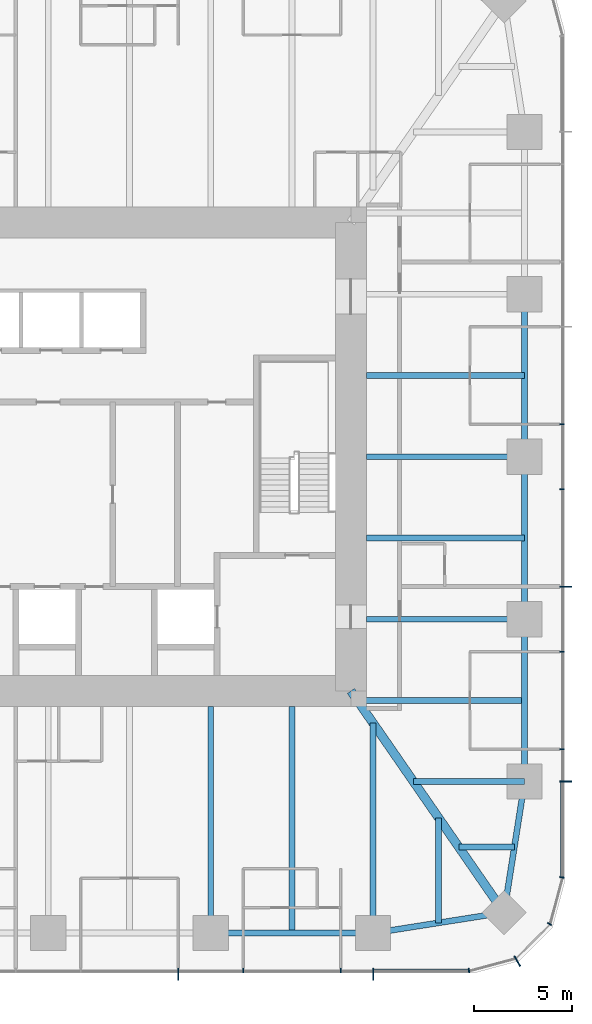
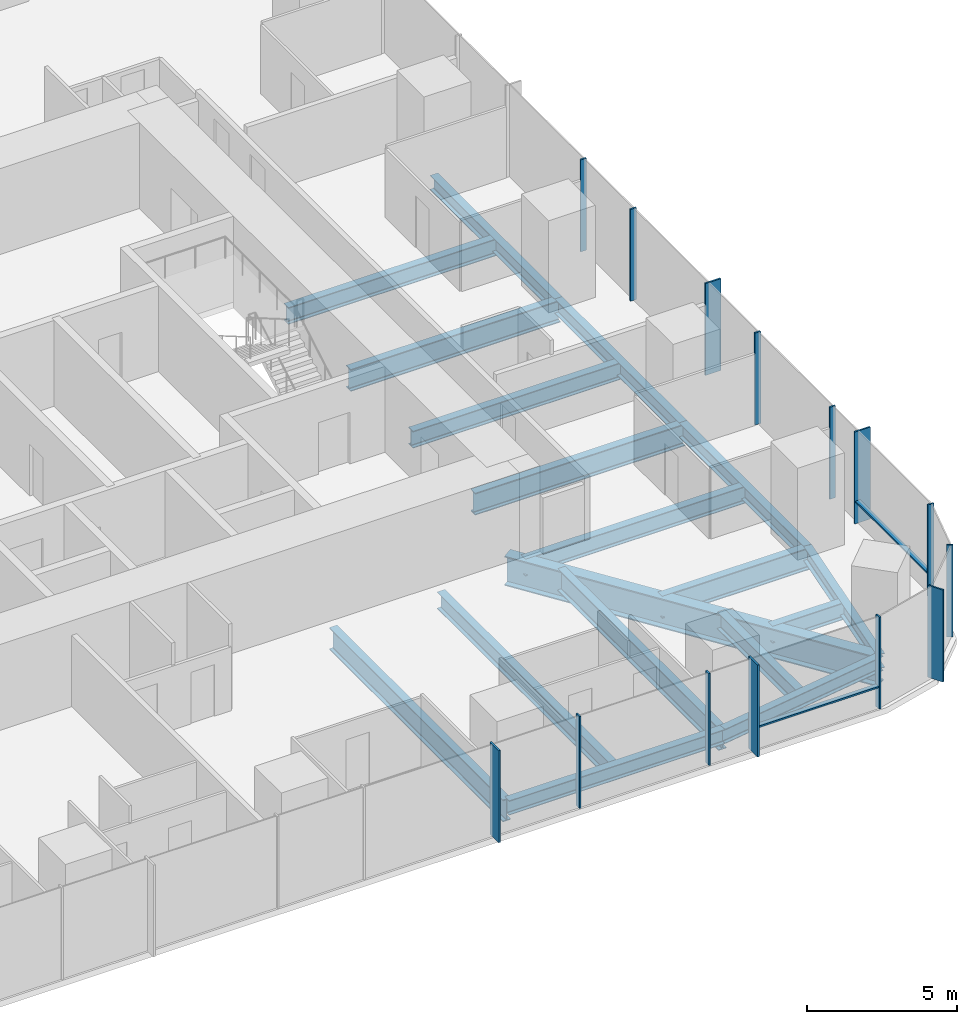
# One storey, part 4 of 12: 18 beams, 16 members, 3 elements without a shape of their own.
"""IFC4 building model written with IfcOpenShell, lengths in metres."""

from ifc_helpers import new_model, si_unit, direction, frame, origin, origin_2d, place, context, subcontext, project, spatial, rectangle, i_section, extrude, material, material_profile, profile_set, type_object, element, aggregate, save


model = new_model("IFC4")

# Units and contexts
model_context = context("Model", 3, precision=1e-05, world=origin(), true_north=direction((0.0, 1.0)))
body_context = subcontext(model_context, "Body", "Model", "MODEL_VIEW")
ifc_project = project(units=[si_unit("LENGTHUNIT", "METRE"), si_unit("AREAUNIT", "SQUARE_METRE"), si_unit("VOLUMEUNIT", "CUBIC_METRE"), si_unit("PLANEANGLEUNIT", "RADIAN"), si_unit("MASSUNIT", "GRAM", prefix="KILO")], contexts=[model_context])

# Site, building, storey
site_placement = place(None, origin())
site = spatial("IfcSite", under=ifc_project, at=site_placement, CompositionType="ELEMENT")
building_placement = place(site_placement, origin())
building = spatial("IfcBuilding", under=site, at=building_placement, Name="Khuree Lantern Residences", CompositionType="ELEMENT")
storey_placement = place(building_placement, frame((0.0, 0.0, 214.5)))
storey = spatial("IfcBuildingStorey", under=building, at=storey_placement, Name="L53", CompositionType="ELEMENT", Elevation=214.5)

# Beams
ifc_material_1 = material(Name="Steel S355", Category="steel")
ifc_material_profile_1 = material_profile(ifc_material_1, i_section(OverallWidth=0.300048828125, OverallDepth=0.68994140625, WebThickness=0.014404296875, FlangeThickness=0.027099609375, FilletRadius=0.027099609375, at=origin_2d()), Name="HE 700 A")
ifc_profile_set_1 = profile_set([ifc_material_profile_1], Name="Steel S355")
beam_type_1 = type_object("IfcBeamType", Name="B-32 SECONDARY BEAM HE 700 A", PredefinedType="BEAM", material=ifc_profile_set_1)
for number, where, z_axis, x_axis, name in (
    (1, (24.39990234375, 4.159912109375, -0.594970703125), (-1.0, 0.0, 0.0), (0.0, -1.0, 0.0), "Secondary beam E3"),
    (2, (24.39990234375, -4.159912109375, -0.594970703125), (-1.0, 0.0, 0.0), (0.0, -1.0, 0.0), "Secondary beam E4"),
):
    element("IfcBeam", number, at=place(storey_placement, frame(where, z_axis=z_axis, x_axis=x_axis)), inside=storey, type_object=beam_type_1, Name=name, PredefinedType="BEAM", context=body_context, shape_type="SweptSolid", body=[
        extrude(i_section(OverallWidth=0.300048828125, OverallDepth=0.68994140625, WebThickness=0.014404296875, FlangeThickness=0.027099609375, FilletRadius=0.027099609375, at=origin_2d()), origin(), (0.0, 0.0, 1.0), 8.099853515625),
    ])
beam_1_placement = place(storey_placement, frame((24.39990234375, -12.47998046875, -0.594970703125), z_axis=(-1.0, 0.0, 0.0), x_axis=(0.0, -1.0, 0.0)))
element("IfcBeam", 3, at=beam_1_placement, inside=storey, type_object=beam_type_1, Name="Secondary beam E5", PredefinedType="BEAM", context=body_context, shape_type="SweptSolid", body=[
    extrude(i_section(OverallWidth=0.300048828125, OverallDepth=0.68994140625, WebThickness=0.014404296875, FlangeThickness=0.027099609375, FilletRadius=0.027099609375, at=origin_2d()), origin(), (0.0, 0.0, 1.0), 8.56787109375),
])
beam_2_placement = place(storey_placement, frame((23.872802734375, -19.992919921875, -0.594970703125), z_axis=(-1.0, 0.0, 0.0), x_axis=(0.0, -1.0, 0.0)))
element("IfcBeam", 4, at=beam_2_placement, inside=storey, type_object=beam_type_1, Name="Secondary beam E6", PredefinedType="BEAM", context=body_context, shape_type="SweptSolid", body=[
    extrude(i_section(OverallWidth=0.300048828125, OverallDepth=0.68994140625, WebThickness=0.014404296875, FlangeThickness=0.027099609375, FilletRadius=0.027099609375, at=origin_2d()), origin(), (0.0, 0.0, 1.0), 2.845703125),
])
beam_3_placement = place(storey_placement, frame((19.992919921875, -23.872802734375, -0.594970703125), z_axis=(0.0, 1.0, 0.0), x_axis=(-1.0, 0.0, 0.0)))
element("IfcBeam", 5, at=beam_3_placement, inside=storey, type_object=beam_type_1, Name="Secondary beam S1", PredefinedType="BEAM", context=body_context, shape_type="SweptSolid", body=[
    extrude(i_section(OverallWidth=0.300048828125, OverallDepth=0.68994140625, WebThickness=0.014404296875, FlangeThickness=0.027099609375, FilletRadius=0.027099609375, at=origin_2d()), origin(), (0.0, 0.0, 1.0), 5.375732421875),
])
beam_4_placement = place(storey_placement, frame((12.47998046875, -24.39990234375, -0.594970703125), z_axis=(0.0, 1.0, 0.0), x_axis=(-1.0, 0.0, 0.0)))
element("IfcBeam", 6, at=beam_4_placement, inside=storey, type_object=beam_type_1, Name="Secondary beam S2", PredefinedType="BEAM", context=body_context, shape_type="SweptSolid", body=[
    extrude(i_section(OverallWidth=0.300048828125, OverallDepth=0.68994140625, WebThickness=0.014404296875, FlangeThickness=0.027099609375, FilletRadius=0.027099609375, at=origin_2d()), origin(), (0.0, 0.0, 1.0), 11.599853515625),
])
ifc_material_profile_2 = material_profile(ifc_material_1, i_section(OverallWidth=0.300048828125, OverallDepth=0.590087890625, WebThickness=0.012939453125, FlangeThickness=0.02490234375, FilletRadius=0.027099609375, at=origin_2d()), Name="HE 600 A")
ifc_profile_set_2 = profile_set([ifc_material_profile_2], Name="Steel S355")
beam_type_2 = type_object("IfcBeamType", Name="E-32 SPANDREL BEAM HE 600 A", PredefinedType="SPANDREL", material=ifc_profile_set_2)
for number, where, z_axis, x_axis, name in (
    (7, (24.39990234375, 8.320068359375, -0.544921875), (0.0, -1.0, 0.0), (1.0, 0.0, 0.0), "Spandrel beam E3"),
    (8, (24.39990234375, 0.0, -0.544921875), (0.0, -1.0, 0.0), (1.0, 0.0, 0.0), "Spandrel beam E4"),
):
    element("IfcBeam", number, at=place(storey_placement, frame(where, z_axis=z_axis, x_axis=x_axis)), inside=storey, type_object=beam_type_2, Name=name, PredefinedType="SPANDREL", context=body_context, shape_type="SweptSolid", body=[
        extrude(i_section(OverallWidth=0.300048828125, OverallDepth=0.590087890625, WebThickness=0.012939453125, FlangeThickness=0.02490234375, FilletRadius=0.027099609375, at=origin_2d()), origin(), (0.0, 0.0, 1.0), 8.320068359375),
    ])
beam_5_placement = place(storey_placement, frame((24.39990234375, -8.320068359375, -0.544921875), z_axis=(0.0, -1.0, 0.0), x_axis=(1.0, 0.0, 0.0)))
element("IfcBeam", 9, at=beam_5_placement, inside=storey, type_object=beam_type_2, Name="Spandrel beam E5", PredefinedType="SPANDREL", context=body_context, shape_type="SweptSolid", body=[
    extrude(i_section(OverallWidth=0.300048828125, OverallDepth=0.590087890625, WebThickness=0.012939453125, FlangeThickness=0.02490234375, FilletRadius=0.027099609375, at=origin_2d()), origin(), (0.0, 0.0, 1.0), 8.31982421875),
])
for number, where, z_axis, x_axis, name in (
    (10, (24.39990234375, -16.639892578125, -0.544921875), (-0.155299507442, -0.98786743189, 0.0), (0.98786743189, -0.155299507442, 0.0), "Spandrel beam E6"),
    (11, (23.345703125, -23.345703125, -0.544921875), (-0.98786743189, -0.155299507442, 0.0), (0.155299507442, -0.98786743189, 0.0), "Spandrel beam S1"),
):
    element("IfcBeam", number, at=place(storey_placement, frame(where, z_axis=z_axis, x_axis=x_axis)), inside=storey, type_object=beam_type_2, Name=name, PredefinedType="SPANDREL", context=body_context, shape_type="SweptSolid", body=[
        extrude(i_section(OverallWidth=0.300048828125, OverallDepth=0.590087890625, WebThickness=0.012939453125, FlangeThickness=0.02490234375, FilletRadius=0.027099609375, at=origin_2d()), origin(), (0.0, 0.0, 1.0), 6.7880859375),
    ])
beam_6_placement = place(storey_placement, frame((16.639892578125, -24.39990234375, -0.544921875), z_axis=(-1.0, 0.0, 0.0), x_axis=(0.0, -1.0, 0.0)))
element("IfcBeam", 12, at=beam_6_placement, inside=storey, type_object=beam_type_2, Name="Spandrel beam S2", PredefinedType="SPANDREL", context=body_context, shape_type="SweptSolid", body=[
    extrude(i_section(OverallWidth=0.300048828125, OverallDepth=0.590087890625, WebThickness=0.012939453125, FlangeThickness=0.02490234375, FilletRadius=0.027099609375, at=origin_2d()), origin(), (0.0, 0.0, 1.0), 8.31982421875),
])

# Curtain wall, member
ifc_material_2 = material(Name="Bronze anodised aluminium", Category="aluminium")
curtain_wall_type_1 = type_object("IfcCurtainWallType", Name="CW-T2 TOWER CORNER CURTAIN WALL", PredefinedType="USERDEFINED", material=ifc_material_2)
curtain_wall_1_placement = place(storey_placement, origin())
curtain_wall_1 = element("IfcCurtainWall", 13, at=curtain_wall_1_placement, inside=storey, type_object=curtain_wall_type_1, Name="L53 SOUTH-EAST CORNER CURTAIN WALL", ObjectType="Faceted corner curtain wall", PredefinedType="USERDEFINED")
ifc_material_profile_3 = material_profile(ifc_material_2, rectangle(XDim=0.06494140625, YDim=0.60009765625, at=origin_2d()), Name="F1 65X600")
ifc_profile_set_3 = profile_set([ifc_material_profile_3], Name="Bronze anodised aluminium")
member_type_1 = type_object("IfcMemberType", Name="F1 BRONZE FIN MULLION TOWER 65X600", PredefinedType="MULLION", material=ifc_profile_set_3)
member_1_placement = place(storey_placement, frame((24.02490234375, -25.8369140625, 0.0), z_axis=(0.0, 0.0, 1.0), x_axis=(0.866025409797, 0.499999989586, 0.0)))
member_1 = element("IfcMember", 14, at=member_1_placement, type_object=member_type_1, Name="L53 SOUTH-EAST CORNER FIN MULLION 2", PredefinedType="MULLION", context=body_context, shape_type="SweptSolid", body=[
    extrude(rectangle(XDim=0.06494140625, YDim=0.60009765625, at=origin_2d()), origin(), (0.0, 0.0, 1.0), 3.75),
])

# Curtain wall, members
curtain_wall_type_2 = type_object("IfcCurtainWallType", Name="CW-T1 TOWER FACE CURTAIN WALL", PredefinedType="USERDEFINED", material=ifc_material_2)
curtain_wall_2_placement = place(storey_placement, origin())
curtain_wall_2 = element("IfcCurtainWall", 15, at=curtain_wall_2_placement, inside=storey, type_object=curtain_wall_type_2, Name="L53 EAST FACE CURTAIN WALL", ObjectType="Stick-built curtain wall", PredefinedType="USERDEFINED")
member_2_placement = place(storey_placement, frame((26.5, -16.639892578125, 0.0), z_axis=(0.0, 0.0, 1.0), x_axis=(0.0, 1.0, 0.0)))
member_2 = element("IfcMember", 16, at=member_2_placement, type_object=member_type_1, Name="L53 EAST FACE FIN MULLION 5", PredefinedType="MULLION", context=body_context, shape_type="SweptSolid", body=[
    extrude(rectangle(XDim=0.06494140625, YDim=0.60009765625, at=origin_2d()), origin(), (0.0, 0.0, 1.0), 3.75),
])
member_3_placement = place(storey_placement, frame((26.5, -6.656005859375, 0.0), z_axis=(0.0, 0.0, 1.0), x_axis=(0.0, 1.0, 0.0)))
member_3 = element("IfcMember", 17, at=member_3_placement, type_object=member_type_1, Name="L53 EAST FACE FIN MULLION 8", PredefinedType="MULLION", context=body_context, shape_type="SweptSolid", body=[
    extrude(rectangle(XDim=0.06494140625, YDim=0.60009765625, at=origin_2d()), origin(), (0.0, 0.0, 1.0), 3.75),
])

curtain_wall_3_placement = place(storey_placement, origin())
curtain_wall_3 = element("IfcCurtainWall", 18, at=curtain_wall_3_placement, inside=storey, type_object=curtain_wall_type_2, Name="L53 SOUTH FACE CURTAIN WALL", ObjectType="Stick-built curtain wall", PredefinedType="USERDEFINED")
member_4_placement = place(storey_placement, frame((6.656005859375, -26.5, 0.0), z_axis=(0.0, 0.0, 1.0), x_axis=(1.0, 0.0, 0.0)))
member_4 = element("IfcMember", 19, at=member_4_placement, type_object=member_type_1, Name="L53 SOUTH FACE FIN MULLION 53", PredefinedType="MULLION", context=body_context, shape_type="SweptSolid", body=[
    extrude(rectangle(XDim=0.06494140625, YDim=0.60009765625, at=origin_2d()), origin(), (0.0, 0.0, 1.0), 3.75),
])
member_5_placement = place(storey_placement, frame((16.639892578125, -26.5, 0.0), z_axis=(0.0, 0.0, 1.0), x_axis=(1.0, 0.0, 0.0)))
member_5 = element("IfcMember", 20, at=member_5_placement, type_object=member_type_1, Name="L53 SOUTH FACE FIN MULLION 56", PredefinedType="MULLION", context=body_context, shape_type="SweptSolid", body=[
    extrude(rectangle(XDim=0.06494140625, YDim=0.60009765625, at=origin_2d()), origin(), (0.0, 0.0, 1.0), 3.75),
])

# Beams
ifc_material_profile_4 = material_profile(ifc_material_1, i_section(OverallWidth=0.300048828125, OverallDepth=0.89990234375, WebThickness=0.0185546875, FlangeThickness=0.034912109375, FilletRadius=0.030029296875, at=origin_2d()), Name="HE 900 B")
ifc_profile_set_4 = profile_set([ifc_material_profile_4], Name="Steel S355")
beam_type_3 = type_object("IfcBeamType", Name="G-32 GIRDER HE 900 B", PredefinedType="BEAM", material=ifc_profile_set_4)
for number, where, z_axis, x_axis, name in (
    (21, (24.39990234375, 0.0, -0.699951171875), (-1.0, 0.0, 0.0), (0.0, -1.0, 0.0), "Girder E3"),
    (22, (24.39990234375, -8.320068359375, -0.699951171875), (-1.0, 0.0, 0.0), (0.0, -1.0, 0.0), "Girder E4"),
):
    element("IfcBeam", number, at=place(storey_placement, frame(where, z_axis=z_axis, x_axis=x_axis)), inside=storey, type_object=beam_type_3, Name=name, PredefinedType="BEAM", context=body_context, shape_type="SweptSolid", body=[
        extrude(i_section(OverallWidth=0.300048828125, OverallDepth=0.89990234375, WebThickness=0.0185546875, FlangeThickness=0.034912109375, FilletRadius=0.030029296875, at=origin_2d()), origin(), (0.0, 0.0, 1.0), 8.099853515625),
    ])
beam_7_placement = place(storey_placement, frame((24.39990234375, -16.639892578125, -0.699951171875), z_axis=(-1.0, 0.0, 0.0), x_axis=(0.0, -1.0, 0.0)))
element("IfcBeam", 23, at=beam_7_placement, inside=storey, type_object=beam_type_3, Name="Girder E5", PredefinedType="BEAM", context=body_context, shape_type="SweptSolid", body=[
    extrude(i_section(OverallWidth=0.300048828125, OverallDepth=0.89990234375, WebThickness=0.0185546875, FlangeThickness=0.034912109375, FilletRadius=0.030029296875, at=origin_2d()), origin(), (0.0, 0.0, 1.0), 5.69140625),
])
beam_8_placement = place(storey_placement, frame((16.639892578125, -24.39990234375, -0.699951171875), z_axis=(0.0, 1.0, 0.0), x_axis=(-1.0, 0.0, 0.0)))
element("IfcBeam", 24, at=beam_8_placement, inside=storey, type_object=beam_type_3, Name="Girder S1", PredefinedType="BEAM", context=body_context, shape_type="SweptSolid", body=[
    extrude(i_section(OverallWidth=0.300048828125, OverallDepth=0.89990234375, WebThickness=0.0185546875, FlangeThickness=0.034912109375, FilletRadius=0.030029296875, at=origin_2d()), origin(), (0.0, 0.0, 1.0), 10.751220703125),
])
beam_9_placement = place(storey_placement, frame((8.320068359375, -24.39990234375, -0.699951171875), z_axis=(0.0, 1.0, 0.0), x_axis=(-1.0, 0.0, 0.0)))
element("IfcBeam", 25, at=beam_9_placement, inside=storey, type_object=beam_type_3, Name="Girder S2", PredefinedType="BEAM", context=body_context, shape_type="SweptSolid", body=[
    extrude(i_section(OverallWidth=0.300048828125, OverallDepth=0.89990234375, WebThickness=0.0185546875, FlangeThickness=0.034912109375, FilletRadius=0.030029296875, at=origin_2d()), origin(), (0.0, 0.0, 1.0), 11.599853515625),
])
ifc_material_profile_5 = material_profile(ifc_material_1, i_section(OverallWidth=0.449951171875, OverallDepth=1.199951171875, WebThickness=0.02490234375, FlangeThickness=0.044921875, at=origin_2d()), Name="WELDED I 1200X450X25X45")
ifc_profile_set_5 = profile_set([ifc_material_profile_5], Name="Steel S355")
beam_type_4 = type_object("IfcBeamType", Name="GD-32 CORNER GIRDER WELDED I 1200X450X25X45", PredefinedType="BEAM", material=ifc_profile_set_5)
beam_10_placement = place(storey_placement, frame((23.345703125, -23.345703125, -0.85009765625), z_axis=(-0.56876813501, 0.822497907959, 0.0), x_axis=(-0.822497907959, -0.56876813501, 0.0)))
element("IfcBeam", 26, at=beam_10_placement, inside=storey, type_object=beam_type_4, Name="Corner girder SE", PredefinedType="BEAM", context=body_context, shape_type="SweptSolid", body=[
    extrude(i_section(OverallWidth=0.449951171875, OverallDepth=1.199951171875, WebThickness=0.02490234375, FlangeThickness=0.044921875, at=origin_2d()), origin(), (0.0, 0.0, 1.0), 13.794189453125),
])

# Member
ifc_material_profile_6 = material_profile(ifc_material_2, rectangle(XDim=0.06494140625, YDim=0.219970703125, at=origin_2d()), Name="M1 65X220")
ifc_profile_set_6 = profile_set([ifc_material_profile_6], Name="Bronze anodised aluminium")
member_type_2 = type_object("IfcMemberType", Name="M1 BRONZE MULLION TOWER 65X220", PredefinedType="MULLION", material=ifc_profile_set_6)
member_6_placement = place(storey_placement, frame((21.544921875, -26.311767578125, 0.0), z_axis=(0.0, 0.0, 1.0), x_axis=(0.991444862943, 0.130526180298, 0.0)))
member_6 = element("IfcMember", 27, at=member_6_placement, type_object=member_type_2, Name="L53 SOUTH-EAST CORNER MULLION 1", PredefinedType="MULLION", context=body_context, shape_type="SweptSolid", body=[
    extrude(rectangle(XDim=0.06494140625, YDim=0.219970703125, at=origin_2d()), origin(), (0.0, 0.0, 1.0), 3.75),
])

member_7_placement = place(storey_placement, frame((25.67236328125, -23.929931640625, 0.0), z_axis=(0.0, 0.0, 1.0), x_axis=(0.499999989586, 0.866025409797, 0.0)))
member_7 = element("IfcMember", 28, at=member_7_placement, type_object=member_type_2, Name="L53 SOUTH-EAST CORNER MULLION 3", PredefinedType="MULLION", context=body_context, shape_type="SweptSolid", body=[
    extrude(rectangle(XDim=0.06494140625, YDim=0.219970703125, at=origin_2d()), origin(), (0.0, 0.0, 1.0), 3.75),
])

aggregate(curtain_wall_1, [member_6, member_1, member_7])

member_8_placement = place(storey_placement, frame((26.311767578125, -21.544921875, 0.0), z_axis=(0.0, 0.0, 1.0), x_axis=(0.130526180298, 0.991444862943, 0.0)))
member_8 = element("IfcMember", 29, at=member_8_placement, type_object=member_type_2, Name="L53 EAST FACE MULLION 4", PredefinedType="MULLION", context=body_context, shape_type="SweptSolid", body=[
    extrude(rectangle(XDim=0.06494140625, YDim=0.219970703125, at=origin_2d()), origin(), (0.0, 0.0, 1.0), 3.75),
])

member_9_placement = place(storey_placement, frame((26.31005859375, -14.97607421875, 0.0), z_axis=(0.0, 0.0, 1.0), x_axis=(0.0, 1.0, 0.0)))
member_9 = element("IfcMember", 30, at=member_9_placement, type_object=member_type_2, Name="L53 EAST FACE MULLION 6", PredefinedType="MULLION", context=body_context, shape_type="SweptSolid", body=[
    extrude(rectangle(XDim=0.06494140625, YDim=0.219970703125, at=origin_2d()), origin(), (0.0, 0.0, 1.0), 3.75),
])

member_10_placement = place(storey_placement, frame((26.31005859375, -9.98388671875, 0.0), z_axis=(0.0, 0.0, 1.0), x_axis=(0.0, 1.0, 0.0)))
member_10 = element("IfcMember", 31, at=member_10_placement, type_object=member_type_2, Name="L53 EAST FACE MULLION 7", PredefinedType="MULLION", context=body_context, shape_type="SweptSolid", body=[
    extrude(rectangle(XDim=0.06494140625, YDim=0.219970703125, at=origin_2d()), origin(), (0.0, 0.0, 1.0), 3.75),
])

member_11_placement = place(storey_placement, frame((26.31005859375, -1.6640625, 0.0), z_axis=(0.0, 0.0, 1.0), x_axis=(0.0, 1.0, 0.0)))
member_11 = element("IfcMember", 32, at=member_11_placement, type_object=member_type_2, Name="L53 EAST FACE MULLION 9", PredefinedType="MULLION", context=body_context, shape_type="SweptSolid", body=[
    extrude(rectangle(XDim=0.06494140625, YDim=0.219970703125, at=origin_2d()), origin(), (0.0, 0.0, 1.0), 3.75),
])

member_12_placement = place(storey_placement, frame((26.31005859375, 1.6640625, 0.0), z_axis=(0.0, 0.0, 1.0), x_axis=(0.0, 1.0, 0.0)))
member_12 = element("IfcMember", 33, at=member_12_placement, type_object=member_type_2, Name="L53 EAST FACE MULLION 10", PredefinedType="MULLION", context=body_context, shape_type="SweptSolid", body=[
    extrude(rectangle(XDim=0.06494140625, YDim=0.219970703125, at=origin_2d()), origin(), (0.0, 0.0, 1.0), 3.75),
])

member_13_placement = place(storey_placement, frame((9.98388671875, -26.31005859375, 0.0), z_axis=(0.0, 0.0, 1.0), x_axis=(1.0, 0.0, 0.0)))
member_13 = element("IfcMember", 34, at=member_13_placement, type_object=member_type_2, Name="L53 SOUTH FACE MULLION 54", PredefinedType="MULLION", context=body_context, shape_type="SweptSolid", body=[
    extrude(rectangle(XDim=0.06494140625, YDim=0.219970703125, at=origin_2d()), origin(), (0.0, 0.0, 1.0), 3.75),
])

member_14_placement = place(storey_placement, frame((14.97607421875, -26.31005859375, 0.0), z_axis=(0.0, 0.0, 1.0), x_axis=(1.0, 0.0, 0.0)))
member_14 = element("IfcMember", 35, at=member_14_placement, type_object=member_type_2, Name="L53 SOUTH FACE MULLION 55", PredefinedType="MULLION", context=body_context, shape_type="SweptSolid", body=[
    extrude(rectangle(XDim=0.06494140625, YDim=0.219970703125, at=origin_2d()), origin(), (0.0, 0.0, 1.0), 3.75),
])

ifc_material_profile_7 = material_profile(ifc_material_2, rectangle(XDim=0.179931640625, YDim=0.06494140625, at=origin_2d()), Name="T1 180X65")
ifc_profile_set_7 = profile_set([ifc_material_profile_7], Name="Bronze anodised aluminium")
member_type_3 = type_object("IfcMemberType", Name="TRANSOM T1 TOWER 180X65", PredefinedType="USERDEFINED", material=ifc_profile_set_7)
member_15_placement = place(storey_placement, frame((26.320068359375, -21.50146484375, 0.89990234375), z_axis=(0.0, 1.0, 0.0), x_axis=(-1.0, 0.0, 0.0)))
member_15 = element("IfcMember", 36, at=member_15_placement, type_object=member_type_3, Name="L53 EAST FACE TRANSOM 4.1", ObjectType="Transom", PredefinedType="USERDEFINED", context=body_context, shape_type="SweptSolid", body=[
    extrude(rectangle(XDim=0.179931640625, YDim=0.06494140625, at=origin_2d()), origin(), (0.0, 0.0, 1.0), 4.828857421875),
])

aggregate(curtain_wall_2, [member_8, member_2, member_9, member_10, member_3, member_11, member_12, member_15])

member_16_placement = place(storey_placement, frame((16.672607421875, -26.320068359375, 0.89990234375), z_axis=(1.0, 0.0, 0.0), x_axis=(0.0, 1.0, 0.0)))
member_16 = element("IfcMember", 37, at=member_16_placement, type_object=member_type_3, Name="L53 SOUTH FACE TRANSOM 56.1", ObjectType="Transom", PredefinedType="USERDEFINED", context=body_context, shape_type="SweptSolid", body=[
    extrude(rectangle(XDim=0.179931640625, YDim=0.06494140625, at=origin_2d()), origin(), (0.0, 0.0, 1.0), 4.828857421875),
])

aggregate(curtain_wall_3, [member_4, member_13, member_14, member_5, member_16])

save(model, "model.ifc")
